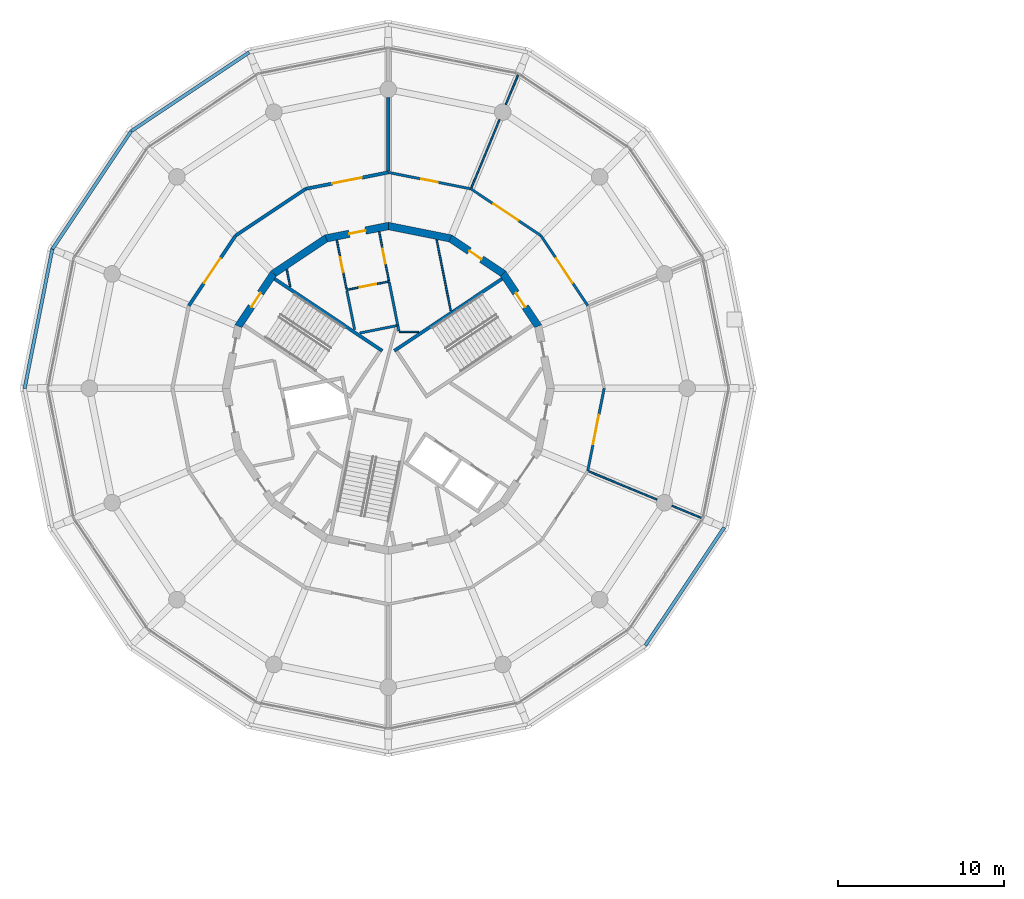
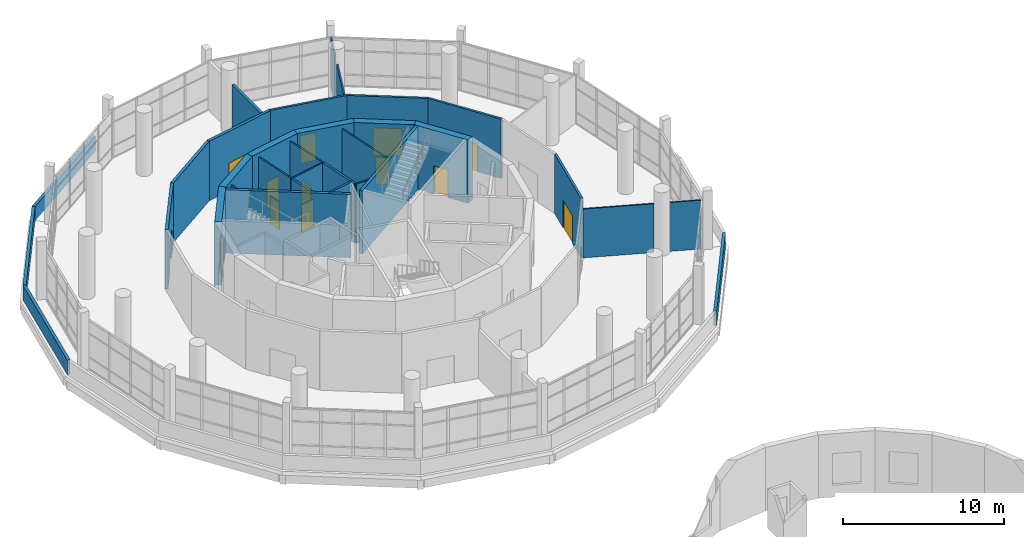
# One storey, part 28 of 40: 34 walls, 13 doors, 13 openings.
"""IFC4 building model written with IfcOpenShell, lengths in metres."""

from ifc_helpers import new_model, si_unit, direction, frame, frame_2d, origin, place, context, subcontext, project, spatial, polyline, rectangle, outline, extrude, material, layer, layer_set, type_object, element, fill, save


model = new_model("IFC4")

# Units and contexts
model_context = context("Model", 3, precision=1e-05, world=origin(), true_north=direction((0.0, 1.0)))
body_context = subcontext(model_context, "Body", "Model", "MODEL_VIEW")
ifc_project = project(units=[si_unit("LENGTHUNIT", "METRE"), si_unit("AREAUNIT", "SQUARE_METRE"), si_unit("VOLUMEUNIT", "CUBIC_METRE"), si_unit("PLANEANGLEUNIT", "RADIAN"), si_unit("MASSUNIT", "GRAM", prefix="KILO")], contexts=[model_context])

# Site, building, storey
site_placement = place(None, origin())
site = spatial("IfcSite", under=ifc_project, at=site_placement, CompositionType="ELEMENT")
building_placement = place(site_placement, origin())
building = spatial("IfcBuilding", under=site, at=building_placement, Name="Ceibo Conservatory and Research Tower", CompositionType="ELEMENT")
storey_placement = place(building_placement, frame((0.0, 0.0, 6.0)))
storey = spatial("IfcBuildingStorey", under=building, at=storey_placement, Name="L01", CompositionType="ELEMENT", Elevation=6.0)

# Wall, opening, door
ifc_material_1 = material(Name="Masonry blockwork", Category="masonry")
ifc_layer_1 = layer(ifc_material_1, 0.199951171875)
ifc_layer_set_1 = layer_set([ifc_layer_1], Name="Masonry blockwork")
wall_type_1 = type_object("IfcWallType", Name="Compartment wall 200 EI 120", PredefinedType="SOLIDWALL", material=ifc_layer_set_1)
wall_1_placement = place(storey_placement, frame((35.989501953125, 124.974853515625, 0.0), z_axis=(0.0, 0.0, 1.0), x_axis=(0.555577354854, 0.831464853601, 0.0)))
wall_1 = element("IfcWall", 1, at=wall_1_placement, inside=storey, type_object=wall_type_1, Name="Partition 01.006", PredefinedType="SOLIDWALL", context=body_context, shape_type="SweptSolid", body=[
    extrude(rectangle(XDim=5.072509765625, YDim=0.199951171875, at=frame_2d((2.5361328125, 0.0))), origin(), (0.0, 0.0, 1.0), 4.5),
])
opening_1_placement = place(wall_1_placement, frame((1.63623046875, 0.0, 0.0)))
opening_1 = element("IfcOpeningElement", 2, at=opening_1_placement, cuts=wall_1, Name="Opening T01-02", PredefinedType="OPENING", context=body_context, shape_type="SweptSolid", body=[
    extrude(rectangle(XDim=1.800048828125, YDim=2.10009765625, at=frame_2d((0.89990234375, 1.050048828125))), frame((0.0, 0.10986328125, 0.0), z_axis=(0.0, -1.0, 0.0), x_axis=(1.0, 0.0, 0.0)), (0.0, 0.0, 1.0), 0.219970703125),
])
ifc_material_2 = material(Name="Galvanised sheet steel DX51D", Category="steel")
door_type_1 = type_object("IfcDoorType", Name="Door fire double 1800x2100 EI 60", OperationType="DOUBLE_DOOR_SINGLE_SWING", PredefinedType="DOOR", material=ifc_material_2)
door_1_placement = place(opening_1_placement, origin())
door_1 = element("IfcDoor", 3, at=door_1_placement, inside=storey, type_object=door_type_1, Name="Door T01-02", OperationType="DOUBLE_DOOR_SINGLE_SWING", OverallHeight=2.10009765625, OverallWidth=1.800048828125, PredefinedType="DOOR", context=body_context, shape_type="SweptSolid", body=[
    extrude(rectangle(XDim=1.800048828125, YDim=2.10009765625, at=frame_2d((0.89990234375, 1.050048828125))), frame((0.0, 0.02490234375, 0.0), z_axis=(0.0, -1.0, 0.0), x_axis=(1.0, 0.0, 0.0)), (0.0, 0.0, 1.0), 0.050048828125),
])
fill(opening_1, door_1)

# Wall
wall_2_placement = place(storey_placement, frame((38.8076171875, 129.1923828125, 0.0), z_axis=(0.0, 0.0, 1.0), x_axis=(0.831464853601, 0.555577354854, 0.0)))
element("IfcWall", 4, at=wall_2_placement, inside=storey, type_object=wall_type_1, Name="Partition 01.007", PredefinedType="SOLIDWALL", context=body_context, shape_type="SweptSolid", body=[
    extrude(rectangle(XDim=5.072509765625, YDim=0.199951171875, at=frame_2d((2.5361328125, 0.0))), origin(), (0.0, 0.0, 1.0), 4.5),
])

# Wall, opening, door
wall_3_placement = place(storey_placement, frame((43.025146484375, 132.010498046875, 0.0), z_axis=(0.0, 0.0, 1.0), x_axis=(0.980787465891, 0.195079334507, 0.0)))
wall_3 = element("IfcWall", 5, at=wall_3_placement, inside=storey, type_object=wall_type_1, Name="Partition 01.008", PredefinedType="SOLIDWALL", context=body_context, shape_type="SweptSolid", body=[
    extrude(rectangle(XDim=5.072265625, YDim=0.199951171875, at=frame_2d((2.5361328125, 0.0))), origin(), (0.0, 0.0, 1.0), 4.5),
])
opening_2_placement = place(wall_3_placement, frame((1.63623046875, 0.0, 0.0)))
opening_2 = element("IfcOpeningElement", 6, at=opening_2_placement, cuts=wall_3, Name="Opening T01-01", PredefinedType="OPENING", context=body_context, shape_type="SweptSolid", body=[
    extrude(rectangle(XDim=1.800048828125, YDim=2.10009765625, at=frame_2d((0.89990234375, 1.050048828125))), frame((0.0, 0.10986328125, 0.0), z_axis=(0.0, -1.0, 0.0), x_axis=(1.0, 0.0, 0.0)), (0.0, 0.0, 1.0), 0.219970703125),
])
door_2_placement = place(opening_2_placement, origin())
door_2 = element("IfcDoor", 7, at=door_2_placement, inside=storey, type_object=door_type_1, Name="Door T01-01", OperationType="DOUBLE_DOOR_SINGLE_SWING", OverallHeight=2.10009765625, OverallWidth=1.800048828125, PredefinedType="DOOR", context=body_context, shape_type="SweptSolid", body=[
    extrude(rectangle(XDim=1.800048828125, YDim=2.10009765625, at=frame_2d((0.89990234375, 1.050048828125))), frame((0.0, 0.02490234375, 0.0), z_axis=(0.0, -1.0, 0.0), x_axis=(1.0, 0.0, 0.0)), (0.0, 0.0, 1.0), 0.050048828125),
])
fill(opening_2, door_2)

# Wall
wall_4_placement = place(storey_placement, frame((48.0, 137.510009765625, 0.0), z_axis=(0.0, 0.0, 1.0), x_axis=(0.0, -1.0, 0.0)))
element("IfcWall", 8, at=wall_4_placement, inside=storey, type_object=wall_type_1, Name="Partition 01.019", PredefinedType="SOLIDWALL", context=body_context, shape_type="SweptSolid", body=[
    extrude(rectangle(XDim=4.4384765625, YDim=0.199951171875, at=frame_2d((2.21923828125, 0.0))), origin(), (0.0, 0.0, 1.0), 3.699951171875),
])

# Wall, opening, door
ifc_material_3 = material(Name="Plasterboard on metal studs")
ifc_layer_2 = layer(ifc_material_3, 0.10009765625)
ifc_layer_set_2 = layer_set([ifc_layer_2], Name="Plasterboard on metal studs")
wall_type_2 = type_object("IfcWallType", Name="Core partition 100", PredefinedType="PARTITIONING", material=ifc_layer_set_2)
wall_5_placement = place(storey_placement, frame((48.0458984375, 126.4326171875, 0.0), z_axis=(0.0, 0.0, 1.0), x_axis=(-0.980778805994, -0.195122868248, 0.0)))
wall_5 = element("IfcWall", 9, at=wall_5_placement, inside=storey, type_object=wall_type_2, Name="Core partition 01.P008", PredefinedType="PARTITIONING", context=body_context, shape_type="SweptSolid", body=[
    extrude(rectangle(XDim=2.60009765625, YDim=0.10009765625, at=frame_2d((1.300048828125, 0.0))), origin(), (0.0, 0.0, 1.0), 4.5),
])
opening_3_placement = place(wall_5_placement, frame((0.800048828125, 0.0, 0.0)))
opening_3 = element("IfcOpeningElement", 10, at=opening_3_placement, cuts=wall_5, Name="Opening C01-15", PredefinedType="OPENING", context=body_context, shape_type="SweptSolid", body=[
    extrude(rectangle(XDim=1.0, YDim=2.10009765625, at=frame_2d((0.5, 1.050048828125))), frame((0.0, 0.06005859375, 0.0), z_axis=(0.0, -1.0, 0.0), x_axis=(1.0, 0.0, 0.0)), (0.0, 0.0, 1.0), 0.1201171875),
])
ifc_material_4 = material(Name="Solid timber", Category="wood")
door_type_2 = type_object("IfcDoorType", Name="Door 1000x2100 (right hand)", OperationType="SINGLE_SWING_RIGHT", PredefinedType="DOOR", material=ifc_material_4)
door_3_placement = place(opening_3_placement, origin())
door_3 = element("IfcDoor", 11, at=door_3_placement, inside=storey, type_object=door_type_2, Name="Door Accessible WC 01.01", OperationType="SINGLE_SWING_RIGHT", OverallHeight=2.10009765625, OverallWidth=1.0, PredefinedType="DOOR", context=body_context, shape_type="SweptSolid", body=[
    extrude(rectangle(XDim=1.0, YDim=2.10009765625, at=frame_2d((0.5, 1.050048828125))), frame((0.0, 0.02490234375, 0.0), z_axis=(0.0, -1.0, 0.0), x_axis=(1.0, 0.0, 0.0)), (0.0, 0.0, 1.0), 0.050048828125),
])
fill(opening_3, door_3)

wall_6_placement = place(storey_placement, frame((45.486083984375, 125.974365234375, 0.0), z_axis=(0.0, 0.0, 1.0), x_axis=(-0.195054549846, 0.980792395252, 0.0)))
wall_6 = element("IfcWall", 12, at=wall_6_placement, inside=storey, type_object=wall_type_2, Name="Core partition 01.P009", PredefinedType="PARTITIONING", context=body_context, shape_type="SweptSolid", body=[
    extrude(rectangle(XDim=3.0078125, YDim=0.10009765625, at=frame_2d((1.50390625, 0.0))), origin(), (0.0, 0.0, 1.0), 4.5),
])
opening_4_placement = place(wall_6_placement, frame((1.053955078125, 0.0, 0.0)))
opening_4 = element("IfcOpeningElement", 13, at=opening_4_placement, cuts=wall_6, Name="Opening C01-16", PredefinedType="OPENING", context=body_context, shape_type="SweptSolid", body=[
    extrude(rectangle(XDim=0.89990234375, YDim=2.10009765625, at=frame_2d((0.449951171875, 1.050048828125))), frame((0.0, 0.06005859375, 0.0), z_axis=(0.0, -1.0, 0.0), x_axis=(1.0, 0.0, 0.0)), (0.0, 0.0, 1.0), 0.1201171875),
])
door_type_3 = type_object("IfcDoorType", Name="Door 900x2100 (right hand)", OperationType="SINGLE_SWING_RIGHT", PredefinedType="DOOR", material=ifc_material_4)
door_4_placement = place(opening_4_placement, origin())
door_4 = element("IfcDoor", 14, at=door_4_placement, inside=storey, type_object=door_type_3, Name="Door Men WC 01.01", OperationType="SINGLE_SWING_RIGHT", OverallHeight=2.10009765625, OverallWidth=0.89990234375, PredefinedType="DOOR", context=body_context, shape_type="SweptSolid", body=[
    extrude(rectangle(XDim=0.89990234375, YDim=2.10009765625, at=frame_2d((0.449951171875, 1.050048828125))), frame((0.0, 0.02490234375, 0.0), z_axis=(0.0, -1.0, 0.0), x_axis=(1.0, 0.0, 0.0)), (0.0, 0.0, 1.0), 0.050048828125),
])
fill(opening_4, door_4)

wall_7_placement = place(storey_placement, frame((47.449462890625, 129.431640625, 0.0), z_axis=(0.0, 0.0, 1.0), x_axis=(0.195054549846, -0.980792395252, 0.0)))
wall_7 = element("IfcWall", 15, at=wall_7_placement, inside=storey, type_object=wall_type_2, Name="Core partition 01.P010", PredefinedType="PARTITIONING", context=body_context, shape_type="SweptSolid", body=[
    extrude(rectangle(XDim=3.0078125, YDim=0.10009765625, at=frame_2d((1.50390625, 0.0))), origin(), (0.0, 0.0, 1.0), 4.5),
])
opening_5_placement = place(wall_7_placement, frame((1.053955078125, 0.0, 0.0)))
opening_5 = element("IfcOpeningElement", 16, at=opening_5_placement, cuts=wall_7, Name="Opening C01-17", PredefinedType="OPENING", context=body_context, shape_type="SweptSolid", body=[
    extrude(rectangle(XDim=0.89990234375, YDim=2.10009765625, at=frame_2d((0.449951171875, 1.050048828125))), frame((0.0, 0.06005859375, 0.0), z_axis=(0.0, -1.0, 0.0), x_axis=(1.0, 0.0, 0.0)), (0.0, 0.0, 1.0), 0.1201171875),
])
door_type_4 = type_object("IfcDoorType", Name="Door 900x2100 (left hand)", OperationType="SINGLE_SWING_LEFT", PredefinedType="DOOR", material=ifc_material_4)
door_5_placement = place(opening_5_placement, origin())
door_5 = element("IfcDoor", 17, at=door_5_placement, inside=storey, type_object=door_type_4, Name="Door Women WC 01.01", OperationType="SINGLE_SWING_LEFT", OverallHeight=2.10009765625, OverallWidth=0.89990234375, PredefinedType="DOOR", context=body_context, shape_type="SweptSolid", body=[
    extrude(rectangle(XDim=0.89990234375, YDim=2.10009765625, at=frame_2d((0.449951171875, 1.050048828125))), frame((0.0, 0.02490234375, 0.0), z_axis=(0.0, -1.0, 0.0), x_axis=(1.0, 0.0, 0.0)), (0.0, 0.0, 1.0), 0.050048828125),
])
fill(opening_5, door_5)

# Walls
wall_8_placement = place(storey_placement, frame((42.092529296875, 126.120361328125, 0.0), z_axis=(0.0, 0.0, 1.0), x_axis=(-0.195175461866, 0.980768341192, 0.0)))
element("IfcWall", 18, at=wall_8_placement, inside=storey, type_object=wall_type_2, Name="Core partition 01.P014", PredefinedType="PARTITIONING", context=body_context, shape_type="SweptSolid", body=[
    extrude(rectangle(XDim=1.04833984375, YDim=0.10009765625, at=frame_2d((0.524169921875, 0.0))), origin(), (0.0, 0.0, 1.0), 4.5),
])
wall_9_placement = place(storey_placement, frame((50.9111328125, 128.943359375, 0.0), z_axis=(0.0, 0.0, 1.0), x_axis=(0.195113868301, -0.980780596462, 0.0)))
element("IfcWall", 19, at=wall_9_placement, inside=storey, type_object=wall_type_2, Name="Core partition 01.P015", PredefinedType="PARTITIONING", context=body_context, shape_type="SweptSolid", body=[
    extrude(rectangle(XDim=4.35693359375, YDim=0.10009765625, at=frame_2d((2.178466796875, 0.0))), origin(), (0.0, 0.0, 1.0), 4.5),
])
wall_10_placement = place(storey_placement, frame((49.823486328125, 123.39990234375, 0.0), z_axis=(0.0, 0.0, 1.0), x_axis=(-1.0, 0.0, 0.0)))
element("IfcWall", 20, at=wall_10_placement, inside=storey, type_object=wall_type_2, Name="Core partition 01.P016", PredefinedType="PARTITIONING", context=body_context, shape_type="SweptSolid", body=[
    extrude(rectangle(XDim=1.17431640625, YDim=0.10009765625, at=frame_2d((0.587158203125, 0.0))), origin(), (0.0, 0.0, 1.0), 4.5),
])

# Wall, opening, door
ifc_material_5 = material(Name="Concrete C40/50", Category="concrete")
ifc_layer_3 = layer(ifc_material_5, 0.449951171875)
ifc_layer_set_3 = layer_set([ifc_layer_3], Name="Concrete C40/50")
wall_type_3 = type_object("IfcWallType", Name="Core wall 450 C40", PredefinedType="SHEAR", material=ifc_layer_set_3)
wall_11_placement = place(storey_placement, frame((57.02685546875, 123.739013671875, 0.0), z_axis=(0.0, 0.0, 1.0), x_axis=(-0.555542277102, 0.83148829117, 0.0)))
wall_11 = element("IfcWall", 21, at=wall_11_placement, inside=storey, type_object=wall_type_3, Name="Core wall L01 02", PredefinedType="SHEAR", context=body_context, shape_type="SweptSolid", body=[
    extrude(outline(polyline([(-0.044677734375, -0.22509765625), (3.85693359375, -0.22509765625), (3.767578125, 0.22509765625), (0.044677734375, 0.22509765625), (-0.044677734375, -0.22509765625)])), origin(), (0.0, 0.0, 1.0), 4.800048828125),
])
opening_6_placement = place(wall_11_placement, frame((1.40625, 0.0, 0.0)))
opening_6 = element("IfcOpeningElement", 22, at=opening_6_placement, cuts=wall_11, Name="Opening C01-01", PredefinedType="OPENING", context=body_context, shape_type="SweptSolid", body=[
    extrude(rectangle(XDim=1.0, YDim=2.10009765625, at=frame_2d((0.5, 1.050048828125))), frame((0.0, 0.23486328125, 0.0), z_axis=(0.0, -1.0, 0.0), x_axis=(1.0, 0.0, 0.0)), (0.0, 0.0, 1.0), 0.469970703125),
])
door_type_5 = type_object("IfcDoorType", Name="Stair door 1000x2100 EI 120 (right hand)", OperationType="SINGLE_SWING_RIGHT", PredefinedType="DOOR", material=ifc_material_2)
door_6_placement = place(opening_6_placement, origin())
door_6 = element("IfcDoor", 23, at=door_6_placement, inside=storey, type_object=door_type_5, Name="Stair door ST1 01", OperationType="SINGLE_SWING_RIGHT", OverallHeight=2.10009765625, OverallWidth=1.0, PredefinedType="DOOR", context=body_context, shape_type="SweptSolid", body=[
    extrude(rectangle(XDim=1.0, YDim=2.10009765625, at=frame_2d((0.5, 1.050048828125))), frame((0.0, 0.02490234375, 0.0), z_axis=(0.0, -1.0, 0.0), x_axis=(1.0, 0.0, 0.0)), (0.0, 0.0, 1.0), 0.050048828125),
])
fill(opening_6, door_6)

wall_12_placement = place(storey_placement, frame((54.908935546875, 126.908935546875, 0.0), z_axis=(0.0, 0.0, 1.0), x_axis=(-0.83148829117, 0.555542277102, 0.0)))
wall_12 = element("IfcWall", 24, at=wall_12_placement, inside=storey, type_object=wall_type_3, Name="Core wall L01 03", PredefinedType="SHEAR", context=body_context, shape_type="SweptSolid", body=[
    extrude(outline(polyline([(-0.044677734375, -0.22509765625), (3.85693359375, -0.22509765625), (3.767578125, 0.22509765625), (0.044677734375, 0.22509765625), (-0.044677734375, -0.22509765625)])), origin(), (0.0, 0.0, 1.0), 4.800048828125),
])
opening_7_placement = place(wall_12_placement, frame((1.544677734375, 0.0, 0.0)))
opening_7 = element("IfcOpeningElement", 25, at=opening_7_placement, cuts=wall_12, Name="Opening C01-08", PredefinedType="OPENING", context=body_context, shape_type="SweptSolid", body=[
    extrude(rectangle(XDim=0.89990234375, YDim=2.10009765625, at=frame_2d((0.449951171875, 1.050048828125))), frame((0.0, 0.23486328125, 0.0), z_axis=(0.0, -1.0, 0.0), x_axis=(1.0, 0.0, 0.0)), (0.0, 0.0, 1.0), 0.469970703125),
])
door_type_6 = type_object("IfcDoorType", Name="Riser door 900x2100 EI 60 (left hand)", OperationType="SINGLE_SWING_LEFT", PredefinedType="DOOR", material=ifc_material_2)
door_7_placement = place(opening_7_placement, frame((0.89990234375, 0.0, 0.0), z_axis=(0.0, 0.0, 1.0), x_axis=(-1.0, 0.0, 0.0)))
door_7 = element("IfcDoor", 26, at=door_7_placement, inside=storey, type_object=door_type_6, Name="Electrical Riser door 01", OperationType="SINGLE_SWING_LEFT", OverallHeight=2.10009765625, OverallWidth=0.89990234375, PredefinedType="DOOR", context=body_context, shape_type="SweptSolid", body=[
    extrude(rectangle(XDim=0.89990234375, YDim=2.10009765625, at=frame_2d((0.449951171875, 1.050048828125))), frame((0.0, 0.02490234375, 0.0), z_axis=(0.0, -1.0, 0.0), x_axis=(1.0, 0.0, 0.0)), (0.0, 0.0, 1.0), 0.050048828125),
])
fill(opening_7, door_7)

# Wall
wall_13_placement = place(storey_placement, frame((51.739013671875, 129.02685546875, 0.0), z_axis=(0.0, 0.0, 1.0), x_axis=(-0.98078948206, 0.195069197673, 0.0)))
element("IfcWall", 27, at=wall_13_placement, inside=storey, type_object=wall_type_3, Name="Core wall L01 04", PredefinedType="SHEAR", context=body_context, shape_type="SweptSolid", body=[
    extrude(outline(polyline([(-0.044677734375, -0.22509765625), (3.85693359375, -0.22509765625), (3.767578125, 0.22509765625), (0.044677734375, 0.22509765625), (-0.044677734375, -0.22509765625)])), origin(), (0.0, 0.0, 1.0), 4.800048828125),
])

# Wall, opening, door
wall_14_placement = place(storey_placement, frame((48.0, 129.7705078125, 0.0), z_axis=(0.0, 0.0, 1.0), x_axis=(-0.98078948206, -0.195069197673, 0.0)))
wall_14 = element("IfcWall", 28, at=wall_14_placement, inside=storey, type_object=wall_type_3, Name="Core wall L01 05", PredefinedType="SHEAR", context=body_context, shape_type="SweptSolid", body=[
    extrude(outline(polyline([(-0.044677734375, -0.22509765625), (3.85693359375, -0.22509765625), (3.767578125, 0.22509765625), (0.044677734375, 0.22509765625), (-0.044677734375, -0.22509765625)])), origin(), (0.0, 0.0, 1.0), 4.800048828125),
])
opening_8_placement = place(wall_14_placement, frame((1.394775390625, 0.0, 0.0)))
opening_8 = element("IfcOpeningElement", 29, at=opening_8_placement, cuts=wall_14, Name="Opening C01-07", PredefinedType="OPENING", context=body_context, shape_type="SweptSolid", body=[
    extrude(rectangle(XDim=1.0, YDim=2.10009765625, at=frame_2d((0.5, 1.050048828125))), frame((0.0, 0.23486328125, 0.0), z_axis=(0.0, -1.0, 0.0), x_axis=(1.0, 0.0, 0.0)), (0.0, 0.0, 1.0), 0.469970703125),
])
door_type_7 = type_object("IfcDoorType", Name="Lobby door 1000x2100 EI 60 (left hand)", OperationType="SINGLE_SWING_LEFT", PredefinedType="DOOR", material=ifc_material_2)
door_8_placement = place(opening_8_placement, frame((1.0, 0.0, 0.0), z_axis=(0.0, 0.0, 1.0), x_axis=(-1.0, 0.0, 0.0)))
door_8 = element("IfcDoor", 30, at=door_8_placement, inside=storey, type_object=door_type_7, Name="WC Lobby door 01", OperationType="SINGLE_SWING_LEFT", OverallHeight=2.10009765625, OverallWidth=1.0, PredefinedType="DOOR", context=body_context, shape_type="SweptSolid", body=[
    extrude(rectangle(XDim=1.0, YDim=2.10009765625, at=frame_2d((0.5, 1.050048828125))), frame((0.0, 0.02490234375, 0.0), z_axis=(0.0, -1.0, 0.0), x_axis=(1.0, 0.0, 0.0)), (0.0, 0.0, 1.0), 0.050048828125),
])
fill(opening_8, door_8)

# Wall
wall_15_placement = place(storey_placement, frame((44.260986328125, 129.02685546875, 0.0), z_axis=(0.0, 0.0, 1.0), x_axis=(-0.83148829117, -0.555542277102, 0.0)))
element("IfcWall", 31, at=wall_15_placement, inside=storey, type_object=wall_type_3, Name="Core wall L01 06", PredefinedType="SHEAR", context=body_context, shape_type="SweptSolid", body=[
    extrude(outline(polyline([(-0.044677734375, -0.22509765625), (3.85693359375, -0.22509765625), (3.767578125, 0.22509765625), (0.044677734375, 0.22509765625), (-0.044677734375, -0.22509765625)])), origin(), (0.0, 0.0, 1.0), 4.800048828125),
])

# Wall, opening, door
wall_16_placement = place(storey_placement, frame((41.091064453125, 126.908935546875, 0.0), z_axis=(0.0, 0.0, 1.0), x_axis=(-0.555542277102, -0.83148829117, 0.0)))
wall_16 = element("IfcWall", 32, at=wall_16_placement, inside=storey, type_object=wall_type_3, Name="Core wall L01 07", PredefinedType="SHEAR", context=body_context, shape_type="SweptSolid", body=[
    extrude(outline(polyline([(-0.044677734375, -0.22509765625), (3.85693359375, -0.22509765625), (3.767578125, 0.22509765625), (0.044677734375, 0.22509765625), (-0.044677734375, -0.22509765625)])), origin(), (0.0, 0.0, 1.0), 4.800048828125),
])
opening_9_placement = place(wall_16_placement, frame((1.40625, 0.0, 0.0)))
opening_9 = element("IfcOpeningElement", 33, at=opening_9_placement, cuts=wall_16, Name="Opening C01-02", PredefinedType="OPENING", context=body_context, shape_type="SweptSolid", body=[
    extrude(rectangle(XDim=1.0, YDim=2.10009765625, at=frame_2d((0.5, 1.050048828125))), frame((0.0, 0.23486328125, 0.0), z_axis=(0.0, -1.0, 0.0), x_axis=(1.0, 0.0, 0.0)), (0.0, 0.0, 1.0), 0.469970703125),
])
door_9_placement = place(opening_9_placement, origin())
door_9 = element("IfcDoor", 34, at=door_9_placement, inside=storey, type_object=door_type_5, Name="Stair door ST2 01", OperationType="SINGLE_SWING_RIGHT", OverallHeight=2.10009765625, OverallWidth=1.0, PredefinedType="DOOR", context=body_context, shape_type="SweptSolid", body=[
    extrude(rectangle(XDim=1.0, YDim=2.10009765625, at=frame_2d((0.5, 1.050048828125))), frame((0.0, 0.02490234375, 0.0), z_axis=(0.0, -1.0, 0.0), x_axis=(1.0, 0.0, 0.0)), (0.0, 0.0, 1.0), 0.050048828125),
])
fill(opening_9, door_9)

# Walls
ifc_material_6 = material(Name="Plasterboard on metal studs, fire board")
ifc_layer_4 = layer(ifc_material_6, 0.14990234375)
ifc_layer_set_4 = layer_set([ifc_layer_4], Name="Plasterboard on metal studs, fire board")
wall_type_4 = type_object("IfcWallType", Name="Corridor wall 150 EI 60", PredefinedType="PARTITIONING", material=ifc_layer_set_4)
wall_17_placement = place(storey_placement, frame((48.0556640625, 126.383544921875, 0.0), z_axis=(0.0, 0.0, 1.0), x_axis=(0.195123903338, -0.980778600065, 0.0)))
element("IfcWall", 35, at=wall_17_placement, inside=storey, type_object=wall_type_4, Name="Core partition 01.P011", PredefinedType="PARTITIONING", context=body_context, shape_type="SweptSolid", body=[
    extrude(rectangle(XDim=2.650146484375, YDim=0.14990234375, at=frame_2d((1.3251953125, 0.0))), origin(), (0.0, 0.0, 1.0), 4.5),
])
wall_18_placement = place(storey_placement, frame((48.523681640625, 123.774658203125, 0.0), z_axis=(0.0, 0.0, 1.0), x_axis=(-0.980777249161, -0.195130693455, 0.0)))
element("IfcWall", 36, at=wall_18_placement, inside=storey, type_object=wall_type_4, Name="Core partition 01.P012", PredefinedType="PARTITIONING", context=body_context, shape_type="SweptSolid", body=[
    extrude(rectangle(XDim=2.287109375, YDim=0.14990234375, at=frame_2d((1.1435546875, 0.0))), origin(), (0.0, 0.0, 1.0), 4.5),
])
wall_19_placement = place(storey_placement, frame((45.972900390625, 123.527587890625, 0.0), z_axis=(0.0, 0.0, 1.0), x_axis=(-0.195135731435, 0.980776246815, 0.0)))
element("IfcWall", 37, at=wall_19_placement, inside=storey, type_object=wall_type_4, Name="Core partition 01.P013", PredefinedType="PARTITIONING", context=body_context, shape_type="SweptSolid", body=[
    extrude(rectangle(XDim=2.394775390625, YDim=0.14990234375, at=frame_2d((1.197265625, 0.0))), origin(), (0.0, 0.0, 1.0), 4.5),
])
wall_20_placement = place(storey_placement, frame((48.639404296875, 123.448974609375, 0.0), z_axis=(0.0, 0.0, 1.0), x_axis=(-0.194880473507, 0.98082699853, 0.0)))
element("IfcWall", 38, at=wall_20_placement, inside=storey, type_object=wall_type_4, Name="Core partition 01.P017", PredefinedType="PARTITIONING", context=body_context, shape_type="SweptSolid", body=[
    extrude(rectangle(XDim=0.342041015625, YDim=0.14990234375, at=frame_2d((0.1708984375, 0.0))), origin(), (0.0, 0.0, 1.0), 4.5),
])

# Wall, opening, door
wall_21_placement = place(storey_placement, frame((52.974853515625, 132.010498046875, 0.0), z_axis=(0.0, 0.0, 1.0), x_axis=(0.831464853601, -0.555577354854, 0.0)))
wall_21 = element("IfcWall", 39, at=wall_21_placement, inside=storey, type_object=wall_type_4, Name="Partition 01.002", PredefinedType="PARTITIONING", context=body_context, shape_type="SweptSolid", body=[
    extrude(rectangle(XDim=5.072509765625, YDim=0.14990234375, at=frame_2d((2.5361328125, 0.0))), origin(), (0.0, 0.0, 1.0), 4.5),
])
opening_10_placement = place(wall_21_placement, frame((1.63623046875, 0.0, 0.0)))
opening_10 = element("IfcOpeningElement", 40, at=opening_10_placement, cuts=wall_21, Name="Opening T01-10", PredefinedType="OPENING", context=body_context, shape_type="SweptSolid", body=[
    extrude(rectangle(XDim=1.800048828125, YDim=2.10009765625, at=frame_2d((0.89990234375, 1.050048828125))), frame((0.0, 0.0849609375, 0.0), z_axis=(0.0, -1.0, 0.0), x_axis=(1.0, 0.0, 0.0)), (0.0, 0.0, 1.0), 0.169921875),
])
door_10_placement = place(opening_10_placement, origin())
door_10 = element("IfcDoor", 41, at=door_10_placement, inside=storey, type_object=door_type_1, Name="Door T01-10", OperationType="DOUBLE_DOOR_SINGLE_SWING", OverallHeight=2.10009765625, OverallWidth=1.800048828125, PredefinedType="DOOR", context=body_context, shape_type="SweptSolid", body=[
    extrude(rectangle(XDim=1.800048828125, YDim=2.10009765625, at=frame_2d((0.89990234375, 1.050048828125))), frame((0.0, 0.02490234375, 0.0), z_axis=(0.0, -1.0, 0.0), x_axis=(1.0, 0.0, 0.0)), (0.0, 0.0, 1.0), 0.050048828125),
])
fill(opening_10, door_10)

wall_22_placement = place(storey_placement, frame((57.1923828125, 129.1923828125, 0.0), z_axis=(0.0, 0.0, 1.0), x_axis=(0.555577354854, -0.831464853601, 0.0)))
wall_22 = element("IfcWall", 42, at=wall_22_placement, inside=storey, type_object=wall_type_4, Name="Partition 01.003", PredefinedType="PARTITIONING", context=body_context, shape_type="SweptSolid", body=[
    extrude(rectangle(XDim=5.072509765625, YDim=0.14990234375, at=frame_2d((2.5361328125, 0.0))), origin(), (0.0, 0.0, 1.0), 4.5),
])
opening_11_placement = place(wall_22_placement, frame((1.63623046875, 0.0, 0.0)))
opening_11 = element("IfcOpeningElement", 43, at=opening_11_placement, cuts=wall_22, Name="Opening T01-09", PredefinedType="OPENING", context=body_context, shape_type="SweptSolid", body=[
    extrude(rectangle(XDim=1.800048828125, YDim=2.10009765625, at=frame_2d((0.89990234375, 1.050048828125))), frame((0.0, 0.0849609375, 0.0), z_axis=(0.0, -1.0, 0.0), x_axis=(1.0, 0.0, 0.0)), (0.0, 0.0, 1.0), 0.169921875),
])
door_11_placement = place(opening_11_placement, origin())
door_11 = element("IfcDoor", 44, at=door_11_placement, inside=storey, type_object=door_type_1, Name="Door T01-09", OperationType="DOUBLE_DOOR_SINGLE_SWING", OverallHeight=2.10009765625, OverallWidth=1.800048828125, PredefinedType="DOOR", context=body_context, shape_type="SweptSolid", body=[
    extrude(rectangle(XDim=1.800048828125, YDim=2.10009765625, at=frame_2d((0.89990234375, 1.050048828125))), frame((0.0, 0.02490234375, 0.0), z_axis=(0.0, -1.0, 0.0), x_axis=(1.0, 0.0, 0.0)), (0.0, 0.0, 1.0), 0.050048828125),
])
fill(opening_11, door_11)

wall_23_placement = place(storey_placement, frame((48.0, 133.0, 0.0), z_axis=(0.0, 0.0, 1.0), x_axis=(0.980787465891, -0.195079334507, 0.0)))
wall_23 = element("IfcWall", 45, at=wall_23_placement, inside=storey, type_object=wall_type_4, Name="Partition 01.004", PredefinedType="PARTITIONING", context=body_context, shape_type="SweptSolid", body=[
    extrude(rectangle(XDim=5.072265625, YDim=0.14990234375, at=frame_2d((2.5361328125, 0.0))), origin(), (0.0, 0.0, 1.0), 4.5),
])
opening_12_placement = place(wall_23_placement, frame((2.0361328125, 0.0, 0.0)))
opening_12 = element("IfcOpeningElement", 46, at=opening_12_placement, cuts=wall_23, Name="Opening T01-11", PredefinedType="OPENING", context=body_context, shape_type="SweptSolid", body=[
    extrude(rectangle(XDim=1.0, YDim=2.10009765625, at=frame_2d((0.5, 1.050048828125))), frame((0.0, 0.0849609375, 0.0), z_axis=(0.0, -1.0, 0.0), x_axis=(1.0, 0.0, 0.0)), (0.0, 0.0, 1.0), 0.169921875),
])
door_type_8 = type_object("IfcDoorType", Name="Door fire single wide 1000x2100 EI 60 (right hand)", OperationType="SINGLE_SWING_RIGHT", PredefinedType="DOOR", material=ifc_material_2)
door_12_placement = place(opening_12_placement, origin())
door_12 = element("IfcDoor", 47, at=door_12_placement, inside=storey, type_object=door_type_8, Name="Door T01-11", OperationType="SINGLE_SWING_RIGHT", OverallHeight=2.10009765625, OverallWidth=1.0, PredefinedType="DOOR", context=body_context, shape_type="SweptSolid", body=[
    extrude(rectangle(XDim=1.0, YDim=2.10009765625, at=frame_2d((0.5, 1.050048828125))), frame((0.0, 0.02490234375, 0.0), z_axis=(0.0, -1.0, 0.0), x_axis=(1.0, 0.0, 0.0)), (0.0, 0.0, 1.0), 0.050048828125),
])
fill(opening_12, door_12)

wall_24_placement = place(storey_placement, frame((61.0, 120.0, 0.0), z_axis=(0.0, 0.0, 1.0), x_axis=(-0.195079334507, -0.980787465891, 0.0)))
wall_24 = element("IfcWall", 48, at=wall_24_placement, inside=storey, type_object=wall_type_4, Name="Partition 01.016", PredefinedType="PARTITIONING", context=body_context, shape_type="SweptSolid", body=[
    extrude(rectangle(XDim=5.072265625, YDim=0.14990234375, at=frame_2d((2.5361328125, 0.0))), origin(), (0.0, 0.0, 1.0), 4.5),
])
opening_13_placement = place(wall_24_placement, frame((1.63623046875, 0.0, 0.0)))
opening_13 = element("IfcOpeningElement", 49, at=opening_13_placement, cuts=wall_24, Name="Opening T01-07", PredefinedType="OPENING", context=body_context, shape_type="SweptSolid", body=[
    extrude(rectangle(XDim=1.800048828125, YDim=2.10009765625, at=frame_2d((0.89990234375, 1.050048828125))), frame((0.0, 0.0849609375, 0.0), z_axis=(0.0, -1.0, 0.0), x_axis=(1.0, 0.0, 0.0)), (0.0, 0.0, 1.0), 0.169921875),
])
door_13_placement = place(opening_13_placement, origin())
door_13 = element("IfcDoor", 50, at=door_13_placement, inside=storey, type_object=door_type_1, Name="Door T01-07", OperationType="DOUBLE_DOOR_SINGLE_SWING", OverallHeight=2.10009765625, OverallWidth=1.800048828125, PredefinedType="DOOR", context=body_context, shape_type="SweptSolid", body=[
    extrude(rectangle(XDim=1.800048828125, YDim=2.10009765625, at=frame_2d((0.89990234375, 1.050048828125))), frame((0.0, 0.02490234375, 0.0), z_axis=(0.0, -1.0, 0.0), x_axis=(1.0, 0.0, 0.0)), (0.0, 0.0, 1.0), 0.050048828125),
])
fill(opening_13, door_13)

# Walls
ifc_material_7 = material(Name="Ceramic mosaic tessera")
ifc_layer_5 = layer(ifc_material_7, 0.010009765625, Name="Ceramic mosaic")
ifc_material_8 = material(Name="Concrete C30/37", Category="concrete")
ifc_layer_6 = layer(ifc_material_8, 0.18994140625, Name="Reinforced concrete leaf")
ifc_layer_set_5 = layer_set([ifc_layer_5, ifc_layer_6], Name="Concrete C30/37")
wall_type_5 = type_object("IfcWallType", Name="Parapet wall 200", PredefinedType="PARAPET", material=ifc_layer_set_5)
for number, where, z_axis, x_axis, name in (
    (51, (39.619873046875, 140.231201171875, 0.0), (0.0, 0.0, 1.0), (-0.831473970536, -0.555563710407, 0.0), "Parapet L01 6"),
    (52, (32.515625, 135.484375, 0.0), (0.0, 0.0, 1.0), (-0.555563710407, -0.831473970536, 0.0), "Parapet L01 7"),
    (53, (27.768798828125, 128.380126953125, 0.0), (0.0, 0.0, 1.0), (-0.19507198848, -0.980788926992, 0.0), "Parapet L01 8"),
    (54, (63.484375, 104.515625, 0.0), (0.0, 0.0, 1.0), (0.555563710407, 0.831473970536, 0.0), "Parapet L01 15"),
):
    element("IfcWall", number, at=place(storey_placement, frame(where, z_axis=z_axis, x_axis=x_axis)), inside=storey, type_object=wall_type_5, Name=name, PredefinedType="PARAPET", context=body_context, shape_type="SweptSolid", body=[
        extrude(outline(polyline([(-0.019775390625, -0.10009765625), (8.56396484375, -0.10009765625), (8.5244140625, 0.10009765625), (0.019775390625, 0.10009765625), (-0.019775390625, -0.10009765625)])), origin(), (0.0, 0.0, 1.0), 1.10009765625),
    ])
ifc_layer_7 = layer(ifc_material_3, 0.10009765625)
ifc_layer_set_6 = layer_set([ifc_layer_7], Name="Plasterboard on metal studs")
wall_type_6 = type_object("IfcWallType", Name="Partition 100", PredefinedType="PARTITIONING", material=ifc_layer_set_6)
wall_25_placement = place(storey_placement, frame((60.076416015625, 114.997802734375, 0.0), z_axis=(0.0, 0.0, 1.0), x_axis=(0.923890134581, -0.382657835702, 0.0)))
element("IfcWall", 55, at=wall_25_placement, inside=storey, type_object=wall_type_6, Name="Partition 01.021", PredefinedType="PARTITIONING", context=body_context, shape_type="SweptSolid", body=[
    extrude(rectangle(XDim=4.438720703125, YDim=0.10009765625, at=frame_2d((2.21923828125, 0.0))), origin(), (0.0, 0.0, 1.0), 3.699951171875),
])
wall_26_placement = place(storey_placement, frame((65.08251953125, 112.924072265625, 0.0), z_axis=(0.0, 0.0, 1.0), x_axis=(0.923879381679, -0.382683796507, 0.0)))
element("IfcWall", 56, at=wall_26_placement, inside=storey, type_object=wall_type_6, Name="Partition 01.022", PredefinedType="PARTITIONING", context=body_context, shape_type="SweptSolid", body=[
    extrude(rectangle(XDim=1.9482421875, YDim=0.10009765625, at=frame_2d((0.97412109375, 0.0))), origin(), (0.0, 0.0, 1.0), 3.699951171875),
])
wall_27_placement = place(storey_placement, frame((53.002197265625, 132.076416015625, 0.0), z_axis=(0.0, 0.0, 1.0), x_axis=(0.382657835702, 0.923890134581, 0.0)))
element("IfcWall", 57, at=wall_27_placement, inside=storey, type_object=wall_type_6, Name="Partition 01.025", PredefinedType="PARTITIONING", context=body_context, shape_type="SweptSolid", body=[
    extrude(rectangle(XDim=4.438720703125, YDim=0.10009765625, at=frame_2d((2.21923828125, 0.0))), origin(), (0.0, 0.0, 1.0), 3.699951171875),
])
wall_28_placement = place(storey_placement, frame((55.075927734375, 137.08251953125, 0.0), z_axis=(0.0, 0.0, 1.0), x_axis=(0.382683796507, 0.923879381679, 0.0)))
element("IfcWall", 58, at=wall_28_placement, inside=storey, type_object=wall_type_6, Name="Partition 01.026", PredefinedType="PARTITIONING", context=body_context, shape_type="SweptSolid", body=[
    extrude(rectangle(XDim=1.9482421875, YDim=0.10009765625, at=frame_2d((0.97412109375, 0.0))), origin(), (0.0, 0.0, 1.0), 3.699951171875),
])
ifc_layer_8 = layer(ifc_material_5, 0.199951171875)
ifc_layer_set_7 = layer_set([ifc_layer_8], Name="Concrete C40/50")
wall_type_7 = type_object("IfcWallType", Name="Stair wall 200 C40", PredefinedType="SHEAR", material=ifc_layer_set_7)
for number, where, z_axis, x_axis, name in (
    (59, (48.36474609375, 122.25830078125, 0.0), (0.0, 0.0, 1.0), (0.831476803301, 0.555559470779, 0.0), "Stair wall ST1.W1 L01"),
    (60, (47.63525390625, 122.25830078125, 0.0), (0.0, 0.0, 1.0), (-0.831476803301, 0.555559470779, 0.0), "Stair wall ST2.W2 L01"),
):
    element("IfcWall", number, at=place(storey_placement, frame(where, z_axis=z_axis, x_axis=x_axis)), inside=storey, type_object=wall_type_7, Name=name, PredefinedType="SHEAR", context=body_context, shape_type="SweptSolid", body=[
        extrude(rectangle(XDim=7.7998046875, YDim=0.199951171875, at=frame_2d((3.89990234375, 0.0))), origin(), (0.0, 0.0, 1.0), 4.800048828125),
    ])

save(model, "model.ifc")
